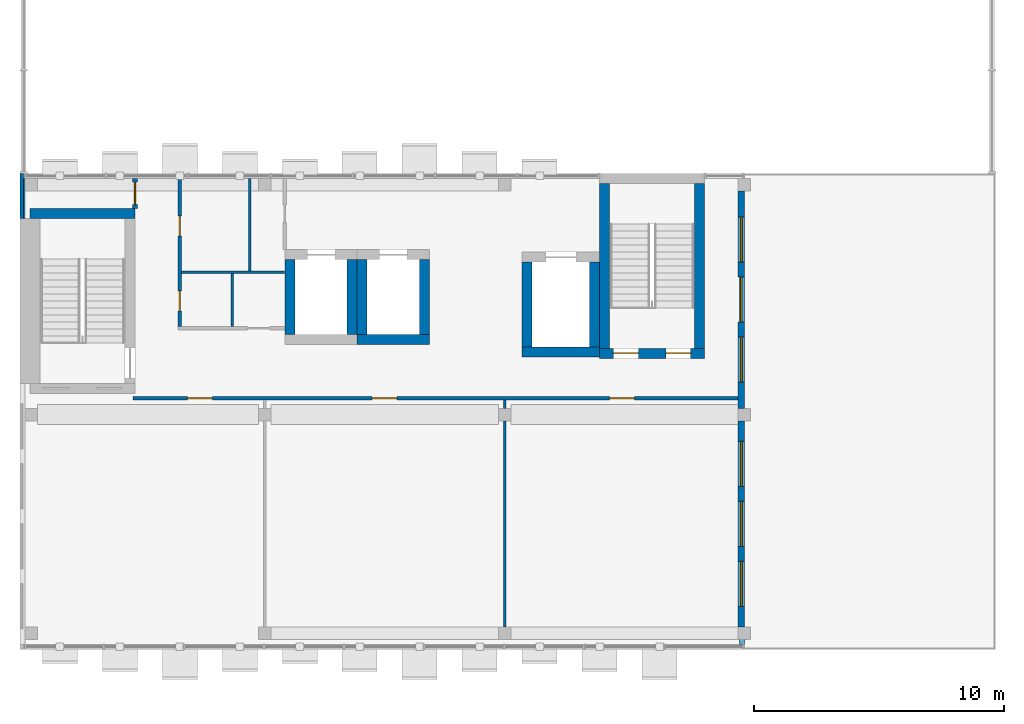
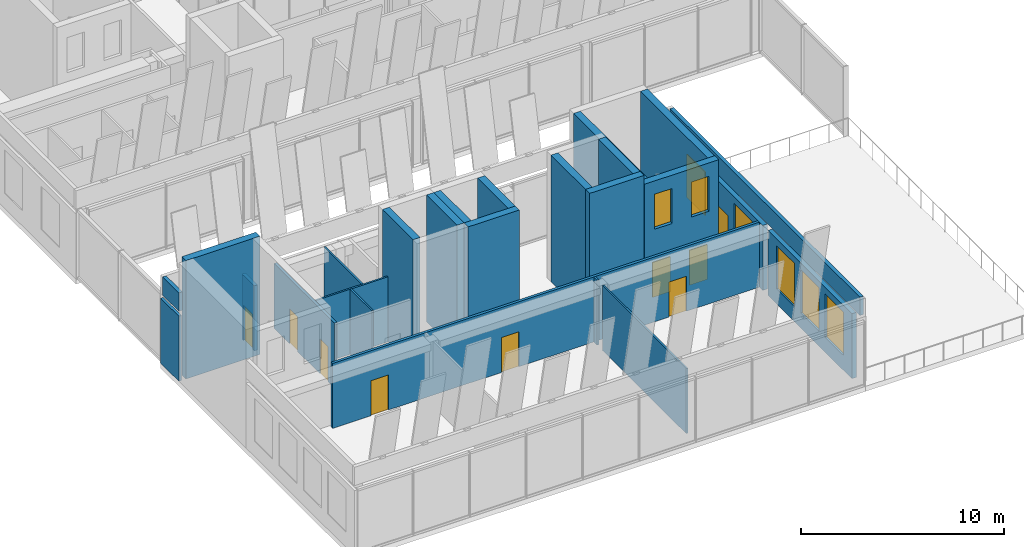
# One storey, part 17 of 26: 25 walls, 11 doors, 5 windows, 16 openings.
"""IFC4 building model written with IfcOpenShell, lengths in metres."""

from ifc_helpers import new_model, si_unit, direction, frame, frame_2d, origin, place, context, subcontext, project, spatial, rectangle, extrude, material, layer, layer_set, layer_usage, type_object, element, fill, save


model = new_model("IFC4")

# Units and contexts
model_context = context("Model", 3, precision=1e-05, world=origin(), true_north=direction((0.0, 1.0)))
body_context = subcontext(model_context, "Body", "Model", "MODEL_VIEW")
ifc_project = project(units=[si_unit("LENGTHUNIT", "METRE"), si_unit("AREAUNIT", "SQUARE_METRE"), si_unit("VOLUMEUNIT", "CUBIC_METRE"), si_unit("PLANEANGLEUNIT", "RADIAN"), si_unit("MASSUNIT", "GRAM", prefix="KILO")], contexts=[model_context])

# Site, building, storey
site_placement = place(None, origin())
site = spatial("IfcSite", under=ifc_project, at=site_placement, CompositionType="ELEMENT")
building_placement = place(site_placement, origin())
building = spatial("IfcBuilding", under=site, at=building_placement, Name="Nzadi Deep Aquarium and Research Tower", CompositionType="ELEMENT")
storey_placement = place(building_placement, frame((0.0, 0.0, 78.10009765625)))
storey = spatial("IfcBuildingStorey", under=building, at=storey_placement, Name="L16", CompositionType="ELEMENT", Elevation=78.10009765625)

# Wall
ifc_material_1 = material(Name="Concrete C35/45", Category="concrete")
ifc_layer_1 = layer(ifc_material_1, 0.10009765625, Category="cladding")
ifc_material_2 = material(Name="Mineral wool insulation")
ifc_layer_2 = layer(ifc_material_2, 0.050048828125, Category="insulation")
ifc_layer_set_1 = layer_set([ifc_layer_1, ifc_layer_2], Name="Concrete C35/45, Mineral wool insulation")
ifc_layer_usage_1 = layer_usage(ifc_layer_set_1, "AXIS2", "POSITIVE", -0.074951171875)
wall_type_1 = type_object("IfcWallType", Name="End wall board-formed concrete 150", PredefinedType="ELEMENTEDWALL", material=ifc_layer_set_1)
wall_1_placement = place(storey_placement, frame((-0.12451171875, 18.85009765625, 0.0), z_axis=(0.0, 0.0, 1.0), x_axis=(0.0, -1.0, 0.0)))
element("IfcWall", 1, at=wall_1_placement, inside=storey, type_object=wall_type_1, material=ifc_layer_usage_1, Name="End wall blade A west L16", PredefinedType="ELEMENTEDWALL", context=body_context, shape_type="SweptSolid", body=[
    extrude(rectangle(XDim=1.800048828125, YDim=0.14990234375, at=frame_2d((0.89990234375, 0.0))), origin(), (0.0, 0.0, 1.0), 3.89990234375),
])

# Wall, openings, windows, door
ifc_layer_3 = layer(ifc_material_1, 0.14990234375, Category="cladding")
ifc_layer_4 = layer(ifc_material_2, 0.070068359375, Category="insulation")
ifc_material_3 = material(Name="Gypsum board lining")
ifc_layer_5 = layer(ifc_material_3, 0.030029296875, Category="lining")
ifc_layer_set_2 = layer_set([ifc_layer_3, ifc_layer_4, ifc_layer_5], Name="Concrete C35/45, Mineral wool insulation, Gypsum board lining")
ifc_layer_usage_2 = layer_usage(ifc_layer_set_2, "AXIS2", "POSITIVE", -0.125)
wall_type_2 = type_object("IfcWallType", Name="End wall board-formed concrete 250", PredefinedType="ELEMENTEDWALL", material=ifc_layer_set_2)
wall_2_placement = place(storey_placement, frame((28.675048828125, 9.449951171875, 0.0), z_axis=(0.0, 0.0, 1.0), x_axis=(0.0, 1.0, 0.0)))
wall_2 = element("IfcWall", 2, at=wall_2_placement, inside=storey, type_object=wall_type_2, material=ifc_layer_usage_2, Name="End wall blade A east L16", PredefinedType="ELEMENTEDWALL", context=body_context, shape_type="SweptSolid", body=[
    extrude(rectangle(XDim=8.699951171875, YDim=0.25, at=frame_2d((4.35009765625, 0.0))), origin(), (0.0, 0.0, 1.0), 3.89990234375),
])
opening_1_placement = place(wall_2_placement, frame((3.449951171875, 0.0, 0.0)))
opening_1 = element("IfcOpeningElement", 3, at=opening_1_placement, cuts=wall_2, Name="Opening DE004", PredefinedType="OPENING", context=body_context, shape_type="SweptSolid", body=[
    extrude(rectangle(XDim=1.800048828125, YDim=2.39990234375, at=frame_2d((0.89990234375, 1.199951171875))), frame((0.0, 0.135009765625, 0.0), z_axis=(0.0, -1.0, 0.0), x_axis=(1.0, 0.0, 0.0)), (0.0, 0.0, 1.0), 0.27001953125),
])
opening_2_placement = place(wall_2_placement, frame((1.050048828125, 0.0, 0.89990234375)))
opening_2 = element("IfcOpeningElement", 4, at=opening_2_placement, cuts=wall_2, Name="Opening WN01", PredefinedType="OPENING", context=body_context, shape_type="SweptSolid", body=[
    extrude(rectangle(XDim=1.800048828125, YDim=2.60009765625, at=frame_2d((0.89990234375, 1.300048828125))), frame((0.0, 0.135009765625, 0.0), z_axis=(0.0, -1.0, 0.0), x_axis=(1.0, 0.0, 0.0)), (0.0, 0.0, 1.0), 0.27001953125),
])
opening_3_placement = place(wall_2_placement, frame((5.85009765625, 0.0, 0.89990234375)))
opening_3 = element("IfcOpeningElement", 5, at=opening_3_placement, cuts=wall_2, Name="Opening WN01", PredefinedType="OPENING", context=body_context, shape_type="SweptSolid", body=[
    extrude(rectangle(XDim=1.800048828125, YDim=2.60009765625, at=frame_2d((0.89990234375, 1.300048828125))), frame((0.0, 0.135009765625, 0.0), z_axis=(0.0, -1.0, 0.0), x_axis=(1.0, 0.0, 0.0)), (0.0, 0.0, 1.0), 0.27001953125),
])
ifc_material_4 = material(Name="Aluminium window, sage tint glazing", Category="aluminium")
window_type = type_object("IfcWindowType", Name="Slot window 1800x2600 sill 900", PartitioningType="SINGLE_PANEL", PredefinedType="WINDOW", material=ifc_material_4)
window_1_placement = place(opening_2_placement, origin())
window_1 = element("IfcWindow", 6, at=window_1_placement, inside=storey, type_object=window_type, Name="Slot window L16 AE", OverallHeight=2.60009765625, OverallWidth=1.800048828125, PartitioningType="SINGLE_PANEL", PredefinedType="WINDOW", context=body_context, shape_type="SweptSolid", body=[
    extrude(rectangle(XDim=1.800048828125, YDim=2.60009765625, at=frame_2d((0.89990234375, 1.300048828125))), frame((0.0, 0.030029296875, 0.0), z_axis=(0.0, -1.0, 0.0), x_axis=(1.0, 0.0, 0.0)), (0.0, 0.0, 1.0), 0.06005859375),
])
fill(opening_2, window_1)
window_2_placement = place(opening_3_placement, origin())
window_2 = element("IfcWindow", 7, at=window_2_placement, inside=storey, type_object=window_type, Name="Slot window L16 AE", OverallHeight=2.60009765625, OverallWidth=1.800048828125, PartitioningType="SINGLE_PANEL", PredefinedType="WINDOW", context=body_context, shape_type="SweptSolid", body=[
    extrude(rectangle(XDim=1.800048828125, YDim=2.60009765625, at=frame_2d((0.89990234375, 1.300048828125))), frame((0.0, 0.030029296875, 0.0), z_axis=(0.0, -1.0, 0.0), x_axis=(1.0, 0.0, 0.0)), (0.0, 0.0, 1.0), 0.06005859375),
])
fill(opening_3, window_2)
ifc_material_5 = material(Name="Aluminium framed glazing", Category="aluminium")
door_type_1 = type_object("IfcDoorType", Name="Terrace double door 1800x2400", OperationType="DOUBLE_DOOR_SINGLE_SWING", PredefinedType="DOOR", material=ifc_material_5)
door_1_placement = place(opening_1_placement, frame((1.800048828125, 0.0, 0.0), z_axis=(0.0, 0.0, 1.0), x_axis=(-1.0, 0.0, 0.0)))
door_1 = element("IfcDoor", 8, at=door_1_placement, inside=storey, type_object=door_type_1, Name="Terrace door L16", OperationType="DOUBLE_DOOR_SINGLE_SWING", OverallHeight=2.39990234375, OverallWidth=1.800048828125, PredefinedType="DOOR", context=body_context, shape_type="SweptSolid", body=[
    extrude(rectangle(XDim=1.800048828125, YDim=2.39990234375, at=frame_2d((0.89990234375, 1.199951171875))), frame((0.0, 0.02490234375, 0.0), z_axis=(0.0, -1.0, 0.0), x_axis=(1.0, 0.0, 0.0)), (0.0, 0.0, 1.0), 0.050048828125),
])
fill(opening_1, door_1)

# Wall, openings, windows
ifc_material_6 = material(Name="Graphite aluminium shingle", Category="aluminium")
ifc_layer_6 = layer(ifc_material_6, 0.050048828125, Category="cladding")
ifc_layer_7 = layer(ifc_material_1, 0.10009765625, Category="cladding")
ifc_layer_8 = layer(ifc_material_2, 0.070068359375, Category="insulation")
ifc_layer_9 = layer(ifc_material_3, 0.030029296875, Category="lining")
ifc_layer_set_3 = layer_set([ifc_layer_6, ifc_layer_7, ifc_layer_8, ifc_layer_9], Name="Graphite aluminium shingle, Concrete C35/45, Mineral wool insulation, Gypsum board lining")
ifc_layer_usage_3 = layer_usage(ifc_layer_set_3, "AXIS2", "POSITIVE", -0.125)
wall_type_3 = type_object("IfcWallType", Name="End wall shingle over board-formed concrete 250", PredefinedType="ELEMENTEDWALL", material=ifc_layer_set_3)
wall_3_placement = place(storey_placement, frame((28.675048828125, 0.699951171875, 0.0), z_axis=(0.0, 0.0, 1.0), x_axis=(0.0, 1.0, 0.0)))
wall_3 = element("IfcWall", 9, at=wall_3_placement, inside=storey, type_object=wall_type_3, material=ifc_layer_usage_3, Name="End wall blade A east L16", PredefinedType="ELEMENTEDWALL", context=body_context, shape_type="SweptSolid", body=[
    extrude(rectangle(XDim=8.25, YDim=0.25, at=frame_2d((4.125, 0.0))), origin(), (0.0, 0.0, 1.0), 3.89990234375),
])
opening_4_placement = place(wall_3_placement, frame((0.824951171875, 0.0, 0.89990234375)))
opening_4 = element("IfcOpeningElement", 10, at=opening_4_placement, cuts=wall_3, Name="Opening WN01", PredefinedType="OPENING", context=body_context, shape_type="SweptSolid", body=[
    extrude(rectangle(XDim=1.800048828125, YDim=2.60009765625, at=frame_2d((0.89990234375, 1.300048828125))), frame((0.0, 0.135009765625, 0.0), z_axis=(0.0, -1.0, 0.0), x_axis=(1.0, 0.0, 0.0)), (0.0, 0.0, 1.0), 0.27001953125),
])
opening_5_placement = place(wall_3_placement, frame((3.22509765625, 0.0, 0.89990234375)))
opening_5 = element("IfcOpeningElement", 11, at=opening_5_placement, cuts=wall_3, Name="Opening WN01", PredefinedType="OPENING", context=body_context, shape_type="SweptSolid", body=[
    extrude(rectangle(XDim=1.800048828125, YDim=2.60009765625, at=frame_2d((0.89990234375, 1.300048828125))), frame((0.0, 0.135009765625, 0.0), z_axis=(0.0, -1.0, 0.0), x_axis=(1.0, 0.0, 0.0)), (0.0, 0.0, 1.0), 0.27001953125),
])
opening_6_placement = place(wall_3_placement, frame((5.625, 0.0, 0.89990234375)))
opening_6 = element("IfcOpeningElement", 12, at=opening_6_placement, cuts=wall_3, Name="Opening WN01", PredefinedType="OPENING", context=body_context, shape_type="SweptSolid", body=[
    extrude(rectangle(XDim=1.800048828125, YDim=2.60009765625, at=frame_2d((0.89990234375, 1.300048828125))), frame((0.0, 0.135009765625, 0.0), z_axis=(0.0, -1.0, 0.0), x_axis=(1.0, 0.0, 0.0)), (0.0, 0.0, 1.0), 0.27001953125),
])
window_3_placement = place(opening_4_placement, origin())
window_3 = element("IfcWindow", 13, at=window_3_placement, inside=storey, type_object=window_type, Name="Slot window L16 AE", OverallHeight=2.60009765625, OverallWidth=1.800048828125, PartitioningType="SINGLE_PANEL", PredefinedType="WINDOW", context=body_context, shape_type="SweptSolid", body=[
    extrude(rectangle(XDim=1.800048828125, YDim=2.60009765625, at=frame_2d((0.89990234375, 1.300048828125))), frame((0.0, 0.030029296875, 0.0), z_axis=(0.0, -1.0, 0.0), x_axis=(1.0, 0.0, 0.0)), (0.0, 0.0, 1.0), 0.06005859375),
])
fill(opening_4, window_3)
window_4_placement = place(opening_5_placement, origin())
window_4 = element("IfcWindow", 14, at=window_4_placement, inside=storey, type_object=window_type, Name="Slot window L16 AE", OverallHeight=2.60009765625, OverallWidth=1.800048828125, PartitioningType="SINGLE_PANEL", PredefinedType="WINDOW", context=body_context, shape_type="SweptSolid", body=[
    extrude(rectangle(XDim=1.800048828125, YDim=2.60009765625, at=frame_2d((0.89990234375, 1.300048828125))), frame((0.0, 0.030029296875, 0.0), z_axis=(0.0, -1.0, 0.0), x_axis=(1.0, 0.0, 0.0)), (0.0, 0.0, 1.0), 0.06005859375),
])
fill(opening_5, window_4)
window_5_placement = place(opening_6_placement, origin())
window_5 = element("IfcWindow", 15, at=window_5_placement, inside=storey, type_object=window_type, Name="Slot window L16 AE", OverallHeight=2.60009765625, OverallWidth=1.800048828125, PartitioningType="SINGLE_PANEL", PredefinedType="WINDOW", context=body_context, shape_type="SweptSolid", body=[
    extrude(rectangle(XDim=1.800048828125, YDim=2.60009765625, at=frame_2d((0.89990234375, 1.300048828125))), frame((0.0, 0.030029296875, 0.0), z_axis=(0.0, -1.0, 0.0), x_axis=(1.0, 0.0, 0.0)), (0.0, 0.0, 1.0), 0.06005859375),
])
fill(opening_6, window_5)

# Walls
ifc_layer_10 = layer(ifc_material_6, 0.050048828125, Category="cladding")
ifc_layer_11 = layer(ifc_material_1, 0.14990234375, Category="structure")
ifc_layer_set_4 = layer_set([ifc_layer_10, ifc_layer_11], Name="Graphite aluminium shingle, Concrete C35/45")
ifc_layer_usage_4 = layer_usage(ifc_layer_set_4, "AXIS2", "POSITIVE", -0.0999755859375)
wall_type_4 = type_object("IfcWallType", Name="Parapet board-formed concrete 200 tower roof", PredefinedType="PARAPET", material=ifc_layer_set_4)
wall_4_placement = place(storey_placement, frame((28.699951171875, 0.0, 4.199951171875), z_axis=(0.0, 0.0, 1.0), x_axis=(0.0, 1.0, 0.0)))
element("IfcWall", 16, at=wall_4_placement, inside=storey, type_object=wall_type_4, material=ifc_layer_usage_4, Name="Parapet", PredefinedType="PARAPET", context=body_context, shape_type="SweptSolid", body=[
    extrude(rectangle(XDim=18.64990234375, YDim=0.199951171875, at=frame_2d((9.324951171875, 0.0))), origin(), (0.0, 0.0, 1.0), 1.099853515625),
])
ifc_layer_usage_5 = layer_usage(ifc_layer_set_4, "AXIS2", "POSITIVE", -0.0999755859375)
wall_5_placement = place(storey_placement, frame((-0.099365234375, 18.64990234375, 4.199951171875), z_axis=(0.0, 0.0, 1.0), x_axis=(0.0, -1.0, 0.0)))
element("IfcWall", 17, at=wall_5_placement, inside=storey, type_object=wall_type_4, material=ifc_layer_usage_5, Name="Parapet", PredefinedType="PARAPET", context=body_context, shape_type="SweptSolid", body=[
    extrude(rectangle(XDim=1.599853515625, YDim=0.199951171875, at=frame_2d((0.7998046875, 0.0))), origin(), (0.0, 0.0, 1.0), 1.099853515625),
])
ifc_material_7 = material(Name="Blockwork masonry", Category="masonry")
ifc_layer_12 = layer(ifc_material_7, 0.10009765625)
ifc_layer_set_5 = layer_set([ifc_layer_12], Name="Blockwork masonry")
wall_type_5 = type_object("IfcWallType", Name="Partition 100 EI 30", PredefinedType="PARTITIONING", material=ifc_layer_set_5)
wall_6_placement = place(storey_placement, frame((6.27490234375, 14.89990234375, 0.0), z_axis=(0.0, 0.0, 1.0), x_axis=(1.0, 0.0, 0.0)))
element("IfcWall", 18, at=wall_6_placement, inside=storey, type_object=wall_type_5, Name="W-Z1-L16-P010", PredefinedType="PARTITIONING", context=body_context, shape_type="SweptSolid", body=[
    extrude(rectangle(XDim=4.119140625, YDim=0.10009765625, at=frame_2d((2.0595703125, 0.0))), origin(), (0.0, 0.0, 1.0), 3.89990234375),
])
wall_7_placement = place(storey_placement, frame((8.300048828125, 12.72509765625, 0.0), z_axis=(0.0, 0.0, 1.0), x_axis=(0.0, 1.0, 0.0)))
element("IfcWall", 19, at=wall_7_placement, inside=storey, type_object=wall_type_5, Name="W-Z1-L16-P012", PredefinedType="PARTITIONING", context=body_context, shape_type="SweptSolid", body=[
    extrude(rectangle(XDim=2.125, YDim=0.10009765625, at=frame_2d((1.0625, 0.0))), origin(), (0.0, 0.0, 1.0), 3.89990234375),
])
wall_8_placement = place(storey_placement, frame((9.0, 14.949951171875, 0.0), z_axis=(0.0, 0.0, 1.0), x_axis=(0.0, 1.0, 0.0)))
element("IfcWall", 20, at=wall_8_placement, inside=storey, type_object=wall_type_5, Name="W-Z1-L16-P016", PredefinedType="PARTITIONING", context=body_context, shape_type="SweptSolid", body=[
    extrude(rectangle(XDim=3.694091796875, YDim=0.10009765625, at=frame_2d((1.84716796875, 0.0))), origin(), (0.0, 0.0, 1.0), 3.89990234375),
])
wall_9_placement = place(storey_placement, frame((19.199951171875, 0.699951171875, 0.0), z_axis=(0.0, 0.0, 1.0), x_axis=(0.0, 1.0, 0.0)))
element("IfcWall", 21, at=wall_9_placement, inside=storey, type_object=wall_type_5, Name="W-Z1-L16-P026", PredefinedType="PARTITIONING", context=body_context, shape_type="SweptSolid", body=[
    extrude(rectangle(XDim=8.25, YDim=0.10009765625, at=frame_2d((4.125, 0.0))), origin(), (0.0, 0.0, 1.0), 3.89990234375),
])
wall_10_placement = place(storey_placement, frame((19.199951171875, 9.449951171875, 0.0), z_axis=(0.0, 0.0, 1.0), x_axis=(0.0, 1.0, 0.0)))
element("IfcWall", 22, at=wall_10_placement, inside=storey, type_object=wall_type_5, Name="W-Z1-L16-P027", PredefinedType="PARTITIONING", context=body_context, shape_type="SweptSolid", body=[
    extrude(rectangle(XDim=0.324951171875, YDim=0.10009765625, at=frame_2d((0.16259765625, 0.0))), origin(), (0.0, 0.0, 1.0), 3.89990234375),
])

# Wall, openings, doors
ifc_material_8 = material(Name="Blockwork masonry", Category="masonry")
ifc_layer_13 = layer(ifc_material_8, 0.14990234375)
ifc_layer_set_6 = layer_set([ifc_layer_13], Name="Blockwork masonry")
wall_type_6 = type_object("IfcWallType", Name="Partition 150 EI 60", PredefinedType="PARTITIONING", material=ifc_layer_set_6)
wall_11_placement = place(storey_placement, frame((4.324951171875, 9.85009765625, 0.0), z_axis=(0.0, 0.0, 1.0), x_axis=(1.0, 0.0, 0.0)))
wall_11 = element("IfcWall", 23, at=wall_11_placement, inside=storey, type_object=wall_type_6, Name="W-Z1-L16-P006", PredefinedType="PARTITIONING", context=body_context, shape_type="SweptSolid", body=[
    extrude(rectangle(XDim=24.218994140625, YDim=0.14990234375, at=frame_2d((12.109375, 0.0))), origin(), (0.0, 0.0, 1.0), 3.89990234375),
])
opening_7_placement = place(wall_11_placement, frame((2.175048828125, 0.0, 0.0)))
opening_7 = element("IfcOpeningElement", 24, at=opening_7_placement, cuts=wall_11, Name="Opening D171006", PredefinedType="OPENING", context=body_context, shape_type="SweptSolid", body=[
    extrude(rectangle(XDim=1.0, YDim=2.10009765625, at=frame_2d((0.5, 1.050048828125))), frame((0.0, 0.0849609375, 0.0), z_axis=(0.0, -1.0, 0.0), x_axis=(1.0, 0.0, 0.0)), (0.0, 0.0, 1.0), 0.169921875),
])
opening_8_placement = place(wall_11_placement, frame((9.574951171875, 0.0, 0.0)))
opening_8 = element("IfcOpeningElement", 25, at=opening_8_placement, cuts=wall_11, Name="Opening D171007", PredefinedType="OPENING", context=body_context, shape_type="SweptSolid", body=[
    extrude(rectangle(XDim=1.0, YDim=2.10009765625, at=frame_2d((0.5, 1.050048828125))), frame((0.0, 0.0849609375, 0.0), z_axis=(0.0, -1.0, 0.0), x_axis=(1.0, 0.0, 0.0)), (0.0, 0.0, 1.0), 0.169921875),
])
opening_9_placement = place(wall_11_placement, frame((19.074951171875, 0.0, 0.0)))
opening_9 = element("IfcOpeningElement", 26, at=opening_9_placement, cuts=wall_11, Name="Opening D171008", PredefinedType="OPENING", context=body_context, shape_type="SweptSolid", body=[
    extrude(rectangle(XDim=1.0, YDim=2.10009765625, at=frame_2d((0.5, 1.050048828125))), frame((0.0, 0.0849609375, 0.0), z_axis=(0.0, -1.0, 0.0), x_axis=(1.0, 0.0, 0.0)), (0.0, 0.0, 1.0), 0.169921875),
])
ifc_material_9 = material(Name="Fire-rated steel door", Category="steel")
ifc_layer_14 = layer(ifc_material_9, 0.050048828125)
ifc_layer_set_7 = layer_set([ifc_layer_14], Name="Fire-rated steel door")
door_type_2 = type_object("IfcDoorType", Name="Door 1000x2100 EI 60 single", OperationType="SINGLE_SWING_LEFT", PredefinedType="DOOR", material=ifc_layer_set_7)
door_2_placement = place(opening_7_placement, origin())
door_2 = element("IfcDoor", 27, at=door_2_placement, inside=storey, type_object=door_type_2, Name="D171006", OperationType="SINGLE_SWING_RIGHT", OverallHeight=2.10009765625, OverallWidth=1.0, PredefinedType="DOOR", context=body_context, shape_type="SweptSolid", body=[
    extrude(rectangle(XDim=1.0, YDim=2.10009765625, at=frame_2d((0.5, 1.050048828125))), frame((0.0, 0.02490234375, 0.0), z_axis=(0.0, -1.0, 0.0), x_axis=(1.0, 0.0, 0.0)), (0.0, 0.0, 1.0), 0.050048828125),
])
fill(opening_7, door_2)
door_3_placement = place(opening_8_placement, origin())
door_3 = element("IfcDoor", 28, at=door_3_placement, inside=storey, type_object=door_type_2, Name="D171007", OperationType="SINGLE_SWING_RIGHT", OverallHeight=2.10009765625, OverallWidth=1.0, PredefinedType="DOOR", context=body_context, shape_type="SweptSolid", body=[
    extrude(rectangle(XDim=1.0, YDim=2.10009765625, at=frame_2d((0.5, 1.050048828125))), frame((0.0, 0.02490234375, 0.0), z_axis=(0.0, -1.0, 0.0), x_axis=(1.0, 0.0, 0.0)), (0.0, 0.0, 1.0), 0.050048828125),
])
fill(opening_8, door_3)
door_4_placement = place(opening_9_placement, origin())
door_4 = element("IfcDoor", 29, at=door_4_placement, inside=storey, type_object=door_type_2, Name="D171008", OperationType="SINGLE_SWING_LEFT", OverallHeight=2.10009765625, OverallWidth=1.0, PredefinedType="DOOR", context=body_context, shape_type="SweptSolid", body=[
    extrude(rectangle(XDim=1.0, YDim=2.10009765625, at=frame_2d((0.5, 1.050048828125))), frame((0.0, 0.02490234375, 0.0), z_axis=(0.0, -1.0, 0.0), x_axis=(1.0, 0.0, 0.0)), (0.0, 0.0, 1.0), 0.050048828125),
])
fill(opening_9, door_4)

wall_12_placement = place(storey_placement, frame((6.199951171875, 12.72509765625, 0.0), z_axis=(0.0, 0.0, 1.0), x_axis=(0.0, 1.0, 0.0)))
wall_12 = element("IfcWall", 30, at=wall_12_placement, inside=storey, type_object=wall_type_6, Name="W-Z1-L16-P009", PredefinedType="PARTITIONING", context=body_context, shape_type="SweptSolid", body=[
    extrude(rectangle(XDim=5.9189453125, YDim=0.14990234375, at=frame_2d((2.95947265625, 0.0))), origin(), (0.0, 0.0, 1.0), 3.89990234375),
])
opening_10_placement = place(wall_12_placement, frame((0.625, 0.0, 0.0)))
opening_10 = element("IfcOpeningElement", 31, at=opening_10_placement, cuts=wall_12, Name="Opening D171002", PredefinedType="OPENING", context=body_context, shape_type="SweptSolid", body=[
    extrude(rectangle(XDim=0.800048828125, YDim=2.10009765625, at=frame_2d((0.39990234375, 1.050048828125))), frame((0.0, 0.0849609375, 0.0), z_axis=(0.0, -1.0, 0.0), x_axis=(1.0, 0.0, 0.0)), (0.0, 0.0, 1.0), 0.169921875),
])
opening_11_placement = place(wall_12_placement, frame((3.625, 0.0, 0.0)))
opening_11 = element("IfcOpeningElement", 32, at=opening_11_placement, cuts=wall_12, Name="Opening D171004", PredefinedType="OPENING", context=body_context, shape_type="SweptSolid", body=[
    extrude(rectangle(XDim=0.800048828125, YDim=2.10009765625, at=frame_2d((0.39990234375, 1.050048828125))), frame((0.0, 0.0849609375, 0.0), z_axis=(0.0, -1.0, 0.0), x_axis=(1.0, 0.0, 0.0)), (0.0, 0.0, 1.0), 0.169921875),
])
ifc_material_10 = material(Name="Fire-rated steel door", Category="steel")
ifc_layer_15 = layer(ifc_material_10, 0.050048828125)
ifc_layer_set_8 = layer_set([ifc_layer_15], Name="Fire-rated steel door")
door_type_3 = type_object("IfcDoorType", Name="Door 800x2100 EI 60 single", OperationType="SINGLE_SWING_LEFT", PredefinedType="DOOR", material=ifc_layer_set_8)
door_5_placement = place(opening_10_placement, origin())
door_5 = element("IfcDoor", 33, at=door_5_placement, inside=storey, type_object=door_type_3, Name="D171002", OperationType="SINGLE_SWING_LEFT", OverallHeight=2.10009765625, OverallWidth=0.800048828125, PredefinedType="DOOR", context=body_context, shape_type="SweptSolid", body=[
    extrude(rectangle(XDim=0.800048828125, YDim=2.10009765625, at=frame_2d((0.39990234375, 1.050048828125))), frame((0.0, 0.02490234375, 0.0), z_axis=(0.0, -1.0, 0.0), x_axis=(1.0, 0.0, 0.0)), (0.0, 0.0, 1.0), 0.050048828125),
])
fill(opening_10, door_5)
door_6_placement = place(opening_11_placement, origin())
door_6 = element("IfcDoor", 34, at=door_6_placement, inside=storey, type_object=door_type_3, Name="D171004", OperationType="SINGLE_SWING_LEFT", OverallHeight=2.10009765625, OverallWidth=0.800048828125, PredefinedType="DOOR", context=body_context, shape_type="SweptSolid", body=[
    extrude(rectangle(XDim=0.800048828125, YDim=2.10009765625, at=frame_2d((0.39990234375, 1.050048828125))), frame((0.0, 0.02490234375, 0.0), z_axis=(0.0, -1.0, 0.0), x_axis=(1.0, 0.0, 0.0)), (0.0, 0.0, 1.0), 0.050048828125),
])
fill(opening_11, door_6)

# Wall, opening, door
ifc_material_11 = material(Name="Blockwork masonry", Category="masonry")
ifc_layer_16 = layer(ifc_material_11, 0.199951171875)
ifc_layer_set_9 = layer_set([ifc_layer_16], Name="Blockwork masonry")
wall_type_7 = type_object("IfcWallType", Name="Partition 200 EI 120", PredefinedType="PARTITIONING", material=ifc_layer_set_9)
wall_13_placement = place(storey_placement, frame((4.39990234375, 17.4560546875, 0.0), z_axis=(0.0, 0.0, 1.0), x_axis=(0.0, 1.0, 0.0)))
wall_13 = element("IfcWall", 35, at=wall_13_placement, inside=storey, type_object=wall_type_7, Name="W-Z1-L16-P005", PredefinedType="PARTITIONING", context=body_context, shape_type="SweptSolid", body=[
    extrude(rectangle(XDim=1.18798828125, YDim=0.199951171875, at=frame_2d((0.593994140625, 0.0))), origin(), (0.0, 0.0, 1.0), 3.89990234375),
])
opening_12_placement = place(wall_13_placement, frame((0.14404296875, 0.0, 0.0)))
opening_12 = element("IfcOpeningElement", 36, at=opening_12_placement, cuts=wall_13, Name="Opening D171001", PredefinedType="OPENING", context=body_context, shape_type="SweptSolid", body=[
    extrude(rectangle(XDim=0.89990234375, YDim=2.10009765625, at=frame_2d((0.449951171875, 1.050048828125))), frame((0.0, 0.110107421875, 0.0), z_axis=(0.0, -1.0, 0.0), x_axis=(1.0, 0.0, 0.0)), (0.0, 0.0, 1.0), 0.22021484375),
])
ifc_material_12 = material(Name="Fire-rated steel door", Category="steel")
ifc_layer_17 = layer(ifc_material_12, 0.050048828125)
ifc_layer_set_10 = layer_set([ifc_layer_17], Name="Fire-rated steel door")
door_type_4 = type_object("IfcDoorType", Name="Door 900x2100 EI 120 single", OperationType="SINGLE_SWING_LEFT", PredefinedType="DOOR", material=ifc_layer_set_10)
door_7_placement = place(opening_12_placement, origin())
door_7 = element("IfcDoor", 37, at=door_7_placement, inside=storey, type_object=door_type_4, Name="D171001", OperationType="SINGLE_SWING_LEFT", OverallHeight=2.10009765625, OverallWidth=0.89990234375, PredefinedType="DOOR", context=body_context, shape_type="SweptSolid", body=[
    extrude(rectangle(XDim=0.89990234375, YDim=2.10009765625, at=frame_2d((0.449951171875, 1.050048828125))), frame((0.0, 0.02490234375, 0.0), z_axis=(0.0, -1.0, 0.0), x_axis=(1.0, 0.0, 0.0)), (0.0, 0.0, 1.0), 0.050048828125),
])
fill(opening_12, door_7)

# Wall
ifc_material_13 = material(Name="Concrete C35/45", Category="concrete")
ifc_layer_18 = layer(ifc_material_13, 0.39990234375)
ifc_layer_set_11 = layer_set([ifc_layer_18], Name="Concrete C35/45")
wall_type_8 = type_object("IfcWallType", Name="RC core wall 400, 7.10 m high", PredefinedType="SHEAR", material=ifc_layer_set_11)
wall_14_placement = place(storey_placement, frame((0.199951171875, 17.25, 0.0), z_axis=(0.0, 0.0, 1.0), x_axis=(1.0, 0.0, 0.0)))
element("IfcWall", 38, at=wall_14_placement, inside=storey, type_object=wall_type_8, Name="W-CORE-ST-Z1-SW-L16-N", PredefinedType="SHEAR", context=body_context, shape_type="SweptSolid", body=[
    extrude(rectangle(XDim=4.199951171875, YDim=0.39990234375, at=frame_2d((2.10009765625, 0.0))), origin(), (0.0, 0.0, 1.0), 7.099853515625),
])

# Wall, openings, doors
wall_15_placement = place(storey_placement, frame((23.0, 11.64990234375, 0.0), z_axis=(0.0, 0.0, 1.0), x_axis=(1.0, 0.0, 0.0)))
wall_15 = element("IfcWall", 39, at=wall_15_placement, inside=storey, type_object=wall_type_8, Name="W-CORE-ST-Z1-SE-L16-S", PredefinedType="SHEAR", context=body_context, shape_type="SweptSolid", body=[
    extrude(rectangle(XDim=4.199951171875, YDim=0.39990234375, at=frame_2d((2.10009765625, 0.0))), origin(), (0.0, 0.0, 1.0), 7.099853515625),
])
opening_13_placement = place(wall_15_placement, frame((0.550048828125, 0.0, 0.0)))
opening_13 = element("IfcOpeningElement", 40, at=opening_13_placement, cuts=wall_15, Name="Opening DS-Z1-SE-L16A", PredefinedType="OPENING", context=body_context, shape_type="SweptSolid", body=[
    extrude(rectangle(XDim=1.0, YDim=2.10009765625, at=frame_2d((0.5, 1.050048828125))), frame((0.0, 0.2099609375, 0.0), z_axis=(0.0, -1.0, 0.0), x_axis=(1.0, 0.0, 0.0)), (0.0, 0.0, 1.0), 0.419921875),
])
opening_14_placement = place(wall_15_placement, frame((2.64990234375, 0.0, 0.0)))
opening_14 = element("IfcOpeningElement", 41, at=opening_14_placement, cuts=wall_15, Name="Opening DS-Z1-SE-L16B", PredefinedType="OPENING", context=body_context, shape_type="SweptSolid", body=[
    extrude(rectangle(XDim=1.0, YDim=2.10009765625, at=frame_2d((0.5, 1.050048828125))), frame((0.0, 0.2099609375, 0.0), z_axis=(0.0, -1.0, 0.0), x_axis=(1.0, 0.0, 0.0)), (0.0, 0.0, 1.0), 0.419921875),
])
opening_15_placement = place(wall_15_placement, frame((0.550048828125, 0.0, 4.199951171875)))
opening_15 = element("IfcOpeningElement", 42, at=opening_15_placement, cuts=wall_15, Name="Opening DS-Z1-SE-ROOFA", PredefinedType="OPENING", context=body_context, shape_type="SweptSolid", body=[
    extrude(rectangle(XDim=1.0, YDim=2.10009765625, at=frame_2d((0.5, 1.050048828125))), frame((0.0, 0.2099609375, 0.0), z_axis=(0.0, -1.0, 0.0), x_axis=(1.0, 0.0, 0.0)), (0.0, 0.0, 1.0), 0.419921875),
])
opening_16_placement = place(wall_15_placement, frame((2.64990234375, 0.0, 4.199951171875)))
opening_16 = element("IfcOpeningElement", 43, at=opening_16_placement, cuts=wall_15, Name="Opening DS-Z1-SE-ROOFB", PredefinedType="OPENING", context=body_context, shape_type="SweptSolid", body=[
    extrude(rectangle(XDim=1.0, YDim=2.10009765625, at=frame_2d((0.5, 1.050048828125))), frame((0.0, 0.2099609375, 0.0), z_axis=(0.0, -1.0, 0.0), x_axis=(1.0, 0.0, 0.0)), (0.0, 0.0, 1.0), 0.419921875),
])
ifc_material_14 = material(Name="Steel, powder coated", Category="steel")
door_type_5 = type_object("IfcDoorType", Name="STAIR DOOR 1000x2100 EI 60", OperationType="SINGLE_SWING_LEFT", PredefinedType="DOOR", material=ifc_material_14)
door_8_placement = place(opening_13_placement, origin())
door_8 = element("IfcDoor", 44, at=door_8_placement, inside=storey, type_object=door_type_5, Name="Stair door ST-Z1-SE L16 A", OperationType="SINGLE_SWING_RIGHT", OverallHeight=2.10009765625, OverallWidth=1.0, PredefinedType="DOOR", context=body_context, shape_type="SweptSolid", body=[
    extrude(rectangle(XDim=1.0, YDim=2.10009765625, at=frame_2d((0.5, 1.050048828125))), frame((0.0, 0.02490234375, 0.0), z_axis=(0.0, -1.0, 0.0), x_axis=(1.0, 0.0, 0.0)), (0.0, 0.0, 1.0), 0.050048828125),
])
fill(opening_13, door_8)
door_9_placement = place(opening_14_placement, origin())
door_9 = element("IfcDoor", 45, at=door_9_placement, inside=storey, type_object=door_type_5, Name="Stair door ST-Z1-SE L16 B", OperationType="SINGLE_SWING_LEFT", OverallHeight=2.10009765625, OverallWidth=1.0, PredefinedType="DOOR", context=body_context, shape_type="SweptSolid", body=[
    extrude(rectangle(XDim=1.0, YDim=2.10009765625, at=frame_2d((0.5, 1.050048828125))), frame((0.0, 0.02490234375, 0.0), z_axis=(0.0, -1.0, 0.0), x_axis=(1.0, 0.0, 0.0)), (0.0, 0.0, 1.0), 0.050048828125),
])
fill(opening_14, door_9)
door_10_placement = place(opening_15_placement, frame((1.0, 0.0, 0.0), z_axis=(0.0, 0.0, 1.0), x_axis=(-1.0, 0.0, 0.0)))
door_10 = element("IfcDoor", 46, at=door_10_placement, inside=storey, type_object=door_type_5, Name="Stair door ST-Z1-SE roof A", OperationType="SINGLE_SWING_LEFT", OverallHeight=2.10009765625, OverallWidth=1.0, PredefinedType="DOOR", context=body_context, shape_type="SweptSolid", body=[
    extrude(rectangle(XDim=1.0, YDim=2.10009765625, at=frame_2d((0.5, 1.050048828125))), frame((0.0, 0.02490234375, 0.0), z_axis=(0.0, -1.0, 0.0), x_axis=(1.0, 0.0, 0.0)), (0.0, 0.0, 1.0), 0.050048828125),
])
fill(opening_15, door_10)
door_11_placement = place(opening_16_placement, frame((1.0, 0.0, 0.0), z_axis=(0.0, 0.0, 1.0), x_axis=(-1.0, 0.0, 0.0)))
door_11 = element("IfcDoor", 47, at=door_11_placement, inside=storey, type_object=door_type_5, Name="Stair door ST-Z1-SE roof B", OperationType="SINGLE_SWING_RIGHT", OverallHeight=2.10009765625, OverallWidth=1.0, PredefinedType="DOOR", context=body_context, shape_type="SweptSolid", body=[
    extrude(rectangle(XDim=1.0, YDim=2.10009765625, at=frame_2d((0.5, 1.050048828125))), frame((0.0, 0.02490234375, 0.0), z_axis=(0.0, -1.0, 0.0), x_axis=(1.0, 0.0, 0.0)), (0.0, 0.0, 1.0), 0.050048828125),
])
fill(opening_16, door_11)

# Walls
for number, where, z_axis, x_axis, name in (
    (48, (23.199951171875, 11.85009765625, 0.0), (0.0, 0.0, 1.0), (0.0, 1.0, 0.0), "W-CORE-ST-Z1-SE-L16-W"),
    (49, (27.0, 11.85009765625, 0.0), (0.0, 0.0, 1.0), (0.0, 1.0, 0.0), "W-CORE-ST-Z1-SE-L16-E"),
):
    element("IfcWall", number, at=place(storey_placement, frame(where, z_axis=z_axis, x_axis=x_axis)), inside=storey, type_object=wall_type_8, Name=name, PredefinedType="SHEAR", context=body_context, shape_type="SweptSolid", body=[
        extrude(rectangle(XDim=6.599853515625, YDim=0.39990234375, at=frame_2d((3.2998046875, 0.0))), origin(), (0.0, 0.0, 1.0), 7.099853515625),
    ])
ifc_material_15 = material(Name="Concrete C35/45", Category="concrete")
ifc_layer_19 = layer(ifc_material_15, 0.39990234375)
ifc_layer_set_12 = layer_set([ifc_layer_19], Name="Concrete C35/45")
wall_type_9 = type_object("IfcWallType", Name="RC core wall 400, 7.50 to 7.70 m high", PredefinedType="SHEAR", material=ifc_layer_set_12)
for number, where, z_axis, x_axis, name in (
    (50, (10.60009765625, 12.39990234375, 0.0), (0.0, 0.0, 1.0), (0.0, 1.0, 0.0), "W-CORE-TL1-L16-W"),
    (51, (13.10009765625, 12.39990234375, 0.0), (0.0, 0.0, 1.0), (0.0, 1.0, 0.0), "W-CORE-TL1-L16-E"),
):
    element("IfcWall", number, at=place(storey_placement, frame(where, z_axis=z_axis, x_axis=x_axis)), inside=storey, type_object=wall_type_9, Name=name, PredefinedType="SHEAR", context=body_context, shape_type="SweptSolid", body=[
        extrude(rectangle(XDim=3.0, YDim=0.39990234375, at=frame_2d((1.5, 0.0))), origin(), (0.0, 0.0, 1.0), 7.599853515625),
    ])
wall_16_placement = place(storey_placement, frame((13.300048828125, 12.199951171875, 0.0), z_axis=(0.0, 0.0, 1.0), x_axis=(1.0, 0.0, 0.0)))
element("IfcWall", 52, at=wall_16_placement, inside=storey, type_object=wall_type_9, Name="W-CORE-TL2-L16-S", PredefinedType="SHEAR", context=body_context, shape_type="SweptSolid", body=[
    extrude(rectangle(XDim=2.89990234375, YDim=0.39990234375, at=frame_2d((1.449951171875, 0.0))), origin(), (0.0, 0.0, 1.0), 7.599853515625),
])
for number, where, z_axis, x_axis, name in (
    (53, (13.5, 12.39990234375, 0.0), (0.0, 0.0, 1.0), (0.0, 1.0, 0.0), "W-CORE-TL2-L16-W"),
    (54, (16.0, 12.39990234375, 0.0), (0.0, 0.0, 1.0), (0.0, 1.0, 0.0), "W-CORE-TL2-L16-E"),
):
    element("IfcWall", number, at=place(storey_placement, frame(where, z_axis=z_axis, x_axis=x_axis)), inside=storey, type_object=wall_type_9, Name=name, PredefinedType="SHEAR", context=body_context, shape_type="SweptSolid", body=[
        extrude(rectangle(XDim=3.0, YDim=0.39990234375, at=frame_2d((1.5, 0.0))), origin(), (0.0, 0.0, 1.0), 7.599853515625),
    ])
wall_17_placement = place(storey_placement, frame((19.89990234375, 11.699951171875, 0.0), z_axis=(0.0, 0.0, 1.0), x_axis=(1.0, 0.0, 0.0)))
element("IfcWall", 55, at=wall_17_placement, inside=storey, type_object=wall_type_9, Name="W-CORE-FL1-L16-S", PredefinedType="SHEAR", context=body_context, shape_type="SweptSolid", body=[
    extrude(rectangle(XDim=3.10009765625, YDim=0.39990234375, at=frame_2d((1.550048828125, 0.0))), origin(), (0.0, 0.0, 1.0), 7.599853515625),
])
for number, where, z_axis, x_axis, name in (
    (56, (20.10009765625, 11.89990234375, 0.0), (0.0, 0.0, 1.0), (0.0, 1.0, 0.0), "W-CORE-FL1-L16-W"),
    (57, (22.800048828125, 11.89990234375, 0.0), (0.0, 0.0, 1.0), (0.0, 1.0, 0.0), "W-CORE-FL1-L16-E"),
):
    element("IfcWall", number, at=place(storey_placement, frame(where, z_axis=z_axis, x_axis=x_axis)), inside=storey, type_object=wall_type_9, Name=name, PredefinedType="SHEAR", context=body_context, shape_type="SweptSolid", body=[
        extrude(rectangle(XDim=3.400146484375, YDim=0.39990234375, at=frame_2d((1.7001953125, 0.0))), origin(), (0.0, 0.0, 1.0), 7.599853515625),
    ])

save(model, "model.ifc")
